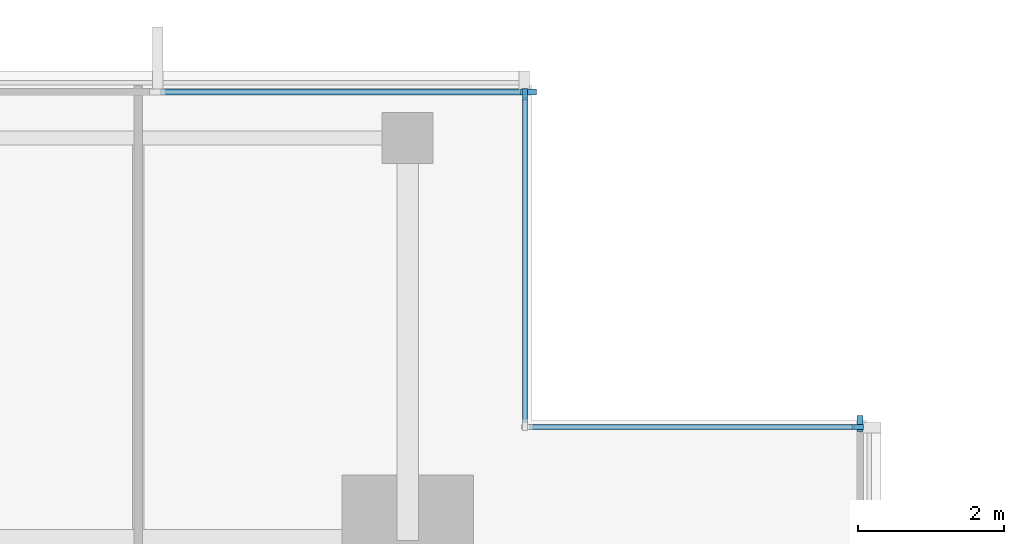
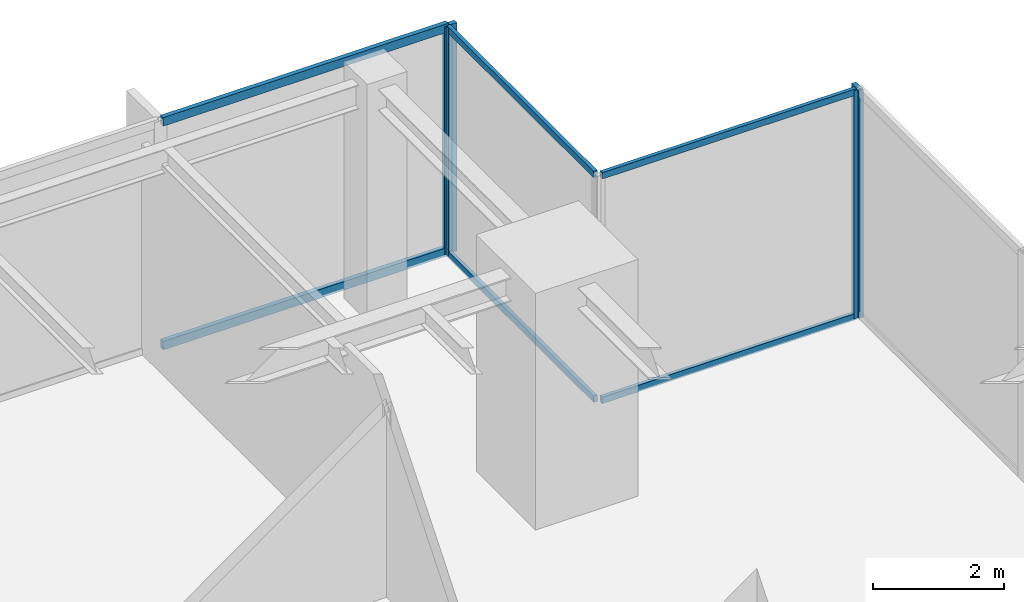
# One storey, part 6 of 14: 10 members, 4 elements without a shape of their own.
"""IFC4 building model written with IfcOpenShell, lengths in metres."""

from ifc_helpers import new_model, si_unit, direction, frame, origin, origin_2d, place, context, subcontext, project, spatial, rectangle, extrude, material, layer, layer_set, material_profile, profile_set, type_object, element, aggregate, save


model = new_model("IFC4")

# Units and contexts
model_context = context("Model", 3, precision=1e-05, world=origin(), true_north=direction((0.0, 1.0)))
body_context = subcontext(model_context, "Body", "Model", "MODEL_VIEW")
ifc_project = project(units=[si_unit("LENGTHUNIT", "METRE"), si_unit("AREAUNIT", "SQUARE_METRE"), si_unit("VOLUMEUNIT", "CUBIC_METRE"), si_unit("PLANEANGLEUNIT", "RADIAN"), si_unit("MASSUNIT", "GRAM", prefix="KILO")], contexts=[model_context])

# Site, building, storey
site_placement = place(None, origin())
site = spatial("IfcSite", under=ifc_project, at=site_placement, CompositionType="ELEMENT")
building_placement = place(site_placement, origin())
building = spatial("IfcBuilding", under=site, at=building_placement, Name="Kinhvarn Gate Tower", CompositionType="ELEMENT")
storey_placement = place(building_placement, frame((0.0, 0.0, 244.85009765625)))
storey = spatial("IfcBuildingStorey", under=building, at=storey_placement, Name="L65", CompositionType="ELEMENT", Elevation=244.85009765625)

# Curtain wall, member
ifc_material = material(Name="Anodised aluminium AW-6063", Category="aluminium")
ifc_layer_1 = layer(ifc_material, 0.179931640625)
ifc_layer_set_1 = layer_set([ifc_layer_1], Name="Anodised aluminium AW-6063")
curtain_wall_type_1 = type_object("IfcCurtainWallType", Name="CW-SYS-4", PredefinedType="NOTDEFINED", material=ifc_layer_set_1)
curtain_wall_1_placement = place(storey_placement, origin())
curtain_wall_1 = element("IfcCurtainWall", 1, at=curtain_wall_1_placement, inside=storey, type_object=curtain_wall_type_1, Name="Curtain Wall CW4 (L65)", PredefinedType="NOTDEFINED")
ifc_material_profile_1 = material_profile(ifc_material, rectangle(XDim=0.06494140625, YDim=0.159912109375, at=origin_2d()), Name="ALU 65x160")
ifc_profile_set_1 = profile_set([ifc_material_profile_1], Name="Anodised aluminium AW-6063")
member_type_1 = type_object("IfcMemberType", Name="CW-MUL-160", PredefinedType="MULLION", material=ifc_profile_set_1)
member_1_placement = place(storey_placement, frame((44.37744140625, 39.31005859375, 0.0), z_axis=(0.0, 0.0, 1.0), x_axis=(0.0, -1.0, 0.0)))
member_1 = element("IfcMember", 2, at=member_1_placement, type_object=member_type_1, Name="CW4 mullion 1", PredefinedType="MULLION", context=body_context, shape_type="SweptSolid", body=[
    extrude(rectangle(XDim=0.06494140625, YDim=0.159912109375, at=origin_2d()), origin(), (0.0, 0.0, 1.0), 4.239990234375),
])

curtain_wall_2_placement = place(storey_placement, origin())
curtain_wall_2 = element("IfcCurtainWall", 3, at=curtain_wall_2_placement, inside=storey, type_object=curtain_wall_type_1, Name="Curtain Wall CW4 (L65)", PredefinedType="NOTDEFINED")
member_2_placement = place(storey_placement, frame((39.81005859375, 43.87744140625, 0.0), z_axis=(0.0, 0.0, 1.0), x_axis=(-1.0, 0.0, 0.0)))
member_2 = element("IfcMember", 4, at=member_2_placement, type_object=member_type_1, Name="CW4 mullion 2", PredefinedType="MULLION", context=body_context, shape_type="SweptSolid", body=[
    extrude(rectangle(XDim=0.06494140625, YDim=0.159912109375, at=origin_2d()), origin(), (0.0, 0.0, 1.0), 4.239990234375),
])

ifc_layer_2 = layer(ifc_material, 0.219970703125)
ifc_layer_set_2 = layer_set([ifc_layer_2], Name="Anodised aluminium AW-6063")
curtain_wall_type_2 = type_object("IfcCurtainWallType", Name="CW-SYS-5", PredefinedType="NOTDEFINED", material=ifc_layer_set_2)
curtain_wall_3_placement = place(storey_placement, origin())
curtain_wall_3 = element("IfcCurtainWall", 5, at=curtain_wall_3_placement, inside=storey, type_object=curtain_wall_type_2, Name="Curtain Wall CW5 (L65)", PredefinedType="NOTDEFINED")
ifc_material_profile_2 = material_profile(ifc_material, rectangle(XDim=0.080078125, YDim=0.219970703125, at=origin_2d()), Name="ALU 80x220")
ifc_profile_set_2 = profile_set([ifc_material_profile_2], Name="Anodised aluminium AW-6063")
member_type_2 = type_object("IfcMemberType", Name="CW-MUL-220", PredefinedType="MULLION", material=ifc_profile_set_2)
member_3_placement = place(storey_placement, frame((39.860107421875, 43.909912109375, 0.0), z_axis=(0.0, 0.0, 1.0), x_axis=(0.0, -1.0, 0.0)))
member_3 = element("IfcMember", 6, at=member_3_placement, type_object=member_type_2, Name="CW5 mullion 1", PredefinedType="MULLION", context=body_context, shape_type="SweptSolid", body=[
    extrude(rectangle(XDim=0.080078125, YDim=0.219970703125, at=origin_2d()), origin(), (0.0, 0.0, 1.0), 4.239990234375),
])

curtain_wall_4_placement = place(storey_placement, origin())
curtain_wall_4 = element("IfcCurtainWall", 7, at=curtain_wall_4_placement, inside=storey, type_object=curtain_wall_type_2, Name="Curtain Wall CW5 (L65)", PredefinedType="NOTDEFINED")
member_4_placement = place(storey_placement, frame((44.409912109375, 39.360107421875, 0.0), z_axis=(0.0, 0.0, 1.0), x_axis=(-1.0, 0.0, 0.0)))
member_4 = element("IfcMember", 8, at=member_4_placement, type_object=member_type_2, Name="CW5 mullion 4", PredefinedType="MULLION", context=body_context, shape_type="SweptSolid", body=[
    extrude(rectangle(XDim=0.080078125, YDim=0.219970703125, at=origin_2d()), origin(), (0.0, 0.0, 1.0), 4.239990234375),
])
aggregate(curtain_wall_4, [member_4])

# Member
ifc_material_profile_3 = material_profile(ifc_material, rectangle(XDim=0.06494140625, YDim=0.1201171875, at=origin_2d()), Name="ALU 65x120")
ifc_profile_set_3 = profile_set([ifc_material_profile_3], Name="Anodised aluminium AW-6063")
member_type_3 = type_object("IfcMemberType", Name="CW-TRN-120", PredefinedType="USERDEFINED", material=ifc_profile_set_3)
member_5_placement = place(storey_placement, frame((44.344970703125, 39.31005859375, 0.032470703125), z_axis=(-1.0, 0.0, 0.0), x_axis=(0.0, -1.0, 0.0)))
member_5 = element("IfcMember", 9, at=member_5_placement, type_object=member_type_3, Name="CW4 transom 1.1", ObjectType="TRANSOM", PredefinedType="USERDEFINED", context=body_context, shape_type="SweptSolid", body=[
    extrude(rectangle(XDim=0.06494140625, YDim=0.1201171875, at=origin_2d()), origin(), (0.0, 0.0, 1.0), 4.469970703125),
])

member_6_placement = place(storey_placement, frame((44.344970703125, 39.31005859375, 4.20751953125), z_axis=(-1.0, 0.0, 0.0), x_axis=(0.0, -1.0, 0.0)))
member_6 = element("IfcMember", 10, at=member_6_placement, type_object=member_type_3, Name="CW4 transom 1.2", ObjectType="TRANSOM", PredefinedType="USERDEFINED", context=body_context, shape_type="SweptSolid", body=[
    extrude(rectangle(XDim=0.06494140625, YDim=0.1201171875, at=origin_2d()), origin(), (0.0, 0.0, 1.0), 4.469970703125),
])

aggregate(curtain_wall_1, [member_1, member_5, member_6])

member_7_placement = place(storey_placement, frame((39.81005859375, 39.375, 0.032470703125), z_axis=(0.0, 1.0, 0.0), x_axis=(-1.0, 0.0, 0.0)))
member_7 = element("IfcMember", 11, at=member_7_placement, type_object=member_type_3, Name="CW4 transom 1.1", ObjectType="TRANSOM", PredefinedType="USERDEFINED", context=body_context, shape_type="SweptSolid", body=[
    extrude(rectangle(XDim=0.06494140625, YDim=0.1201171875, at=origin_2d()), origin(), (0.0, 0.0, 1.0), 4.469970703125),
])

member_8_placement = place(storey_placement, frame((39.81005859375, 39.375, 4.20751953125), z_axis=(0.0, 1.0, 0.0), x_axis=(-1.0, 0.0, 0.0)))
member_8 = element("IfcMember", 12, at=member_8_placement, type_object=member_type_3, Name="CW4 transom 1.2", ObjectType="TRANSOM", PredefinedType="USERDEFINED", context=body_context, shape_type="SweptSolid", body=[
    extrude(rectangle(XDim=0.06494140625, YDim=0.1201171875, at=origin_2d()), origin(), (0.0, 0.0, 1.0), 4.469970703125),
])

aggregate(curtain_wall_2, [member_2, member_7, member_8])

ifc_material_profile_4 = material_profile(ifc_material, rectangle(XDim=0.080078125, YDim=0.159912109375, at=origin_2d()), Name="ALU 80x160")
ifc_profile_set_4 = profile_set([ifc_material_profile_4], Name="Anodised aluminium AW-6063")
member_type_4 = type_object("IfcMemberType", Name="CW-TRN-160", PredefinedType="USERDEFINED", material=ifc_profile_set_4)
member_9_placement = place(storey_placement, frame((39.820068359375, 43.909912109375, 0.039794921875), z_axis=(-1.0, 0.0, 0.0), x_axis=(0.0, -1.0, 0.0)))
member_9 = element("IfcMember", 13, at=member_9_placement, type_object=member_type_4, Name="CW5 transom 1.1", ObjectType="TRANSOM", PredefinedType="USERDEFINED", context=body_context, shape_type="SweptSolid", body=[
    extrude(rectangle(XDim=0.080078125, YDim=0.159912109375, at=origin_2d()), origin(), (0.0, 0.0, 1.0), 5.013427734375),
])

member_10_placement = place(storey_placement, frame((39.820068359375, 43.909912109375, 4.199951171875), z_axis=(-1.0, 0.0, 0.0), x_axis=(0.0, -1.0, 0.0)))
member_10 = element("IfcMember", 14, at=member_10_placement, type_object=member_type_4, Name="CW5 transom 1.2", ObjectType="TRANSOM", PredefinedType="USERDEFINED", context=body_context, shape_type="SweptSolid", body=[
    extrude(rectangle(XDim=0.080078125, YDim=0.159912109375, at=origin_2d()), origin(), (0.0, 0.0, 1.0), 5.013427734375),
])

aggregate(curtain_wall_3, [member_3, member_9, member_10])

save(model, "model.ifc")
